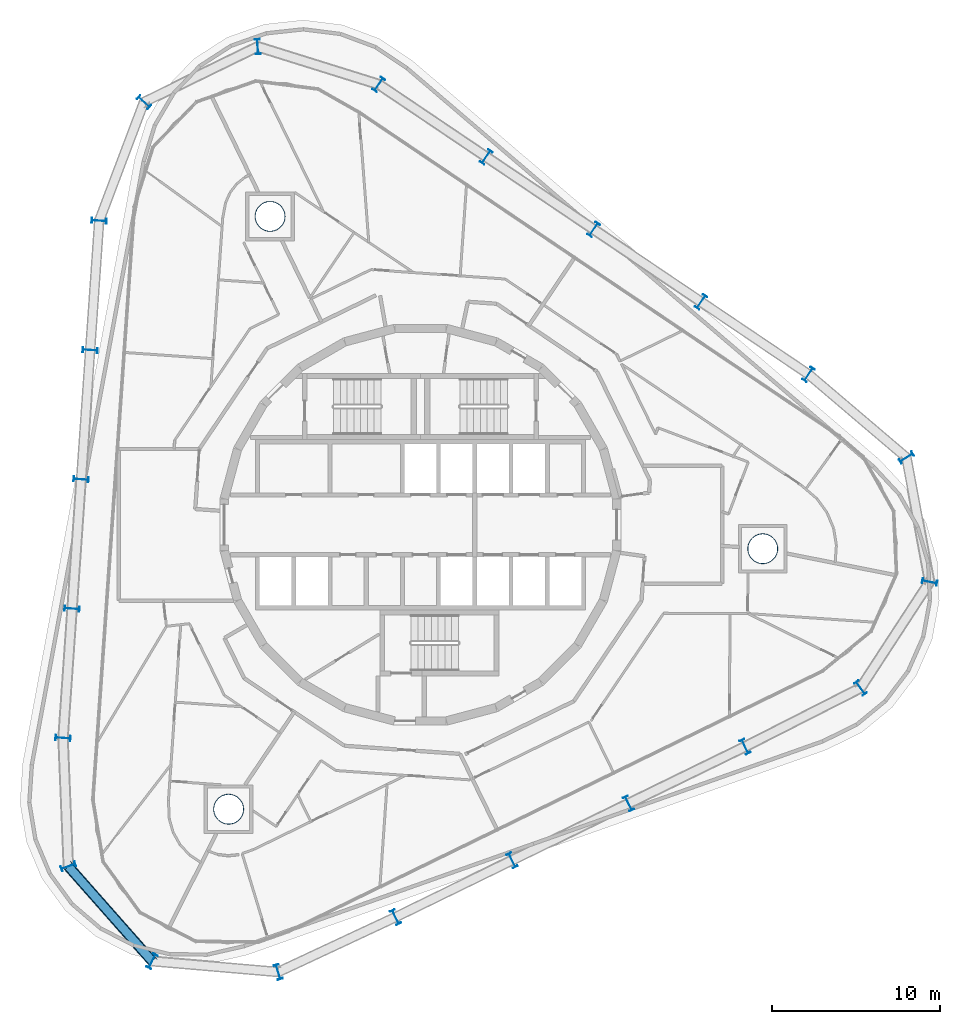
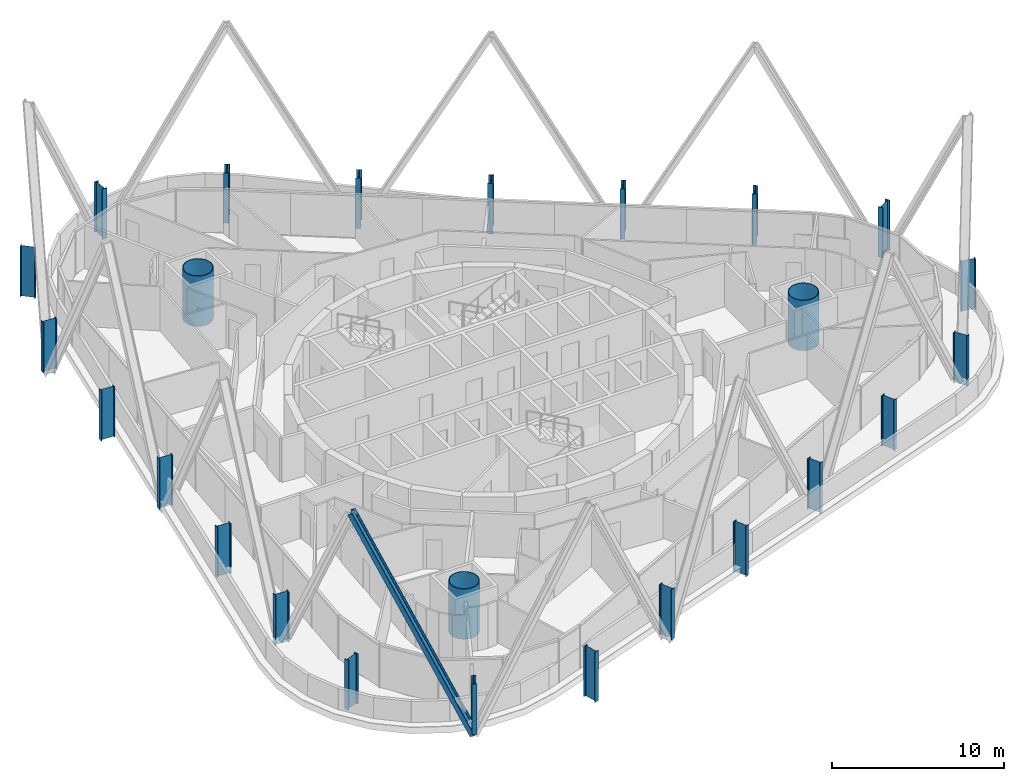
# One storey, part 1 of 18: 25 columns, 1 member.
"""IFC4 building model written with IfcOpenShell, lengths in metres."""

import ifcopenshell
import ifcopenshell.guid

model = None  # the IFC model being written
_history = None  # IfcOwnerHistory: only IFC2X3 demands one
_inside = {}  # id of a spatial element -> (the spatial element, [elements in it])
_under = {}  # id of a project, library or spatial element -> (it, [spatial elements below it])
_declared = {}  # id of a project -> (the project, [libraries it declares])
_typed = {}  # id of a type object -> (the type object, [elements of that type])
_made_of = {}  # id of a material, layer set ... -> (it, [elements and type objects made of it])


def new_model(schema):
    """Start an empty IFC model of exactly this schema.

    Asked for "IFC4X3", IfcOpenShell would pick the latest addendum, in which some entities
    have other attributes; the version numbers below select the first issue.
    IFC2X3 requires an IfcOwnerHistory on every rooted entity: one is made here for all.
    """
    global model, _history
    if schema == "IFC4X3":
        model = ifcopenshell.file(schema_version=(4, 3, 0, 0))
    else:
        model = ifcopenshell.file(schema=schema)
    _inside.clear()
    _under.clear()
    _declared.clear()
    _typed.clear()
    _made_of.clear()
    _history = None
    if model.schema == "IFC2X3":
        org = make("IfcOrganization", Name="unknown")
        user = make(
            "IfcPersonAndOrganization",
            ThePerson=make("IfcPerson", FamilyName="unknown"),
            TheOrganization=org,
        )
        app = make(
            "IfcApplication",
            ApplicationDeveloper=org,
            Version="unknown",
            ApplicationFullName="unknown",
            ApplicationIdentifier="unknown",
        )
        _history = make(
            "IfcOwnerHistory",
            OwningUser=user,
            OwningApplication=app,
            ChangeAction="ADDED",
            CreationDate=0,
        )
    return model


def make(cls, **values):
    """One entity of the class cls with the attributes given. An attribute that is None is left unset."""
    return model.create_entity(
        cls, **{name: value for name, value in values.items() if value is not None}
    )


def rooted(cls, **values):
    """An entity with a GlobalId (a new one), such as an element, a storey or a relation."""
    return make(cls, GlobalId=ifcopenshell.guid.new(), OwnerHistory=_history, **values)


def si_unit(unit_type, name, prefix=None):
    """IfcSIUnit, for example si_unit("LENGTHUNIT", "METRE", prefix="MILLI")."""
    return make("IfcSIUnit", UnitType=unit_type, Prefix=prefix, Name=name)


def assignment(units):
    """IfcUnitAssignment: the units of a project."""
    return None if units is None else make("IfcUnitAssignment", Units=units)


def point(xyz):
    """IfcCartesianPoint."""
    return None if xyz is None else make("IfcCartesianPoint", Coordinates=xyz)


def direction(xyz):
    """IfcDirection."""
    return None if xyz is None else make("IfcDirection", DirectionRatios=xyz)


def frame(location, z_axis=None, x_axis=None):
    """IfcAxis2Placement3D, a coordinate frame: its origin and axes. An axis left out is left unset."""
    return make(
        "IfcAxis2Placement3D",
        Location=point(location),
        Axis=direction(z_axis),
        RefDirection=direction(x_axis),
    )


def frame_2d(location, x_axis=None):
    """IfcAxis2Placement2D, a coordinate frame in the plane: its origin and x axis."""
    return make(
        "IfcAxis2Placement2D", Location=point(location), RefDirection=direction(x_axis)
    )


def origin():
    """The frame at (0, 0, 0) with its axes left unset."""
    return frame((0.0, 0.0, 0.0))


def origin_2d():
    """The frame at (0, 0) in the plane with its x axis left unset."""
    return frame_2d((0.0, 0.0))


def place(relative_to, where):
    """IfcLocalPlacement: puts the frame where relative to a parent placement (None: the world)."""
    return make(
        "IfcLocalPlacement", PlacementRelTo=relative_to, RelativePlacement=where
    )


def context(
    kind, dimensions, precision=None, world=None, true_north=None, identifier=None
):
    """IfcGeometricRepresentationContext, for example the 3D "Model" context."""
    return make(
        "IfcGeometricRepresentationContext",
        ContextIdentifier=identifier,
        ContextType=kind,
        CoordinateSpaceDimension=dimensions,
        Precision=precision,
        WorldCoordinateSystem=world,
        TrueNorth=true_north,
    )


def subcontext(parent, identifier, kind, view, scale=None):
    """IfcGeometricRepresentationSubContext, for example "Body" below "Model"."""
    return make(
        "IfcGeometricRepresentationSubContext",
        ContextIdentifier=identifier,
        ContextType=kind,
        ParentContext=parent,
        TargetScale=scale,
        TargetView=view,
    )


def project(units=None, contexts=None):
    """IfcProject with its units and contexts."""
    return rooted(
        "IfcProject",
        Name="project",
        RepresentationContexts=contexts,
        UnitsInContext=assignment(units),
    )


def spatial(cls, under=None, at=None, **own):
    """A site, building, storey or space (cls), placed at a placement, below another one or the project."""
    s = rooted(cls, ObjectPlacement=at, **own)
    if under is not None:
        _under.setdefault(under.id(), (under, []))[1].append(s)
    return s


def profile(cls, at=None, kind="AREA", **sizes):
    """A parametric profile (cls). Its sizes go by their IFC names, for example OverallWidth=200.0."""
    return make(cls, ProfileType=kind, Position=at, **sizes)


def hollow_circle(**sizes):
    """IfcCircleHollowProfileDef."""
    return profile("IfcCircleHollowProfileDef", **sizes)


def i_section(**sizes):
    """IfcIShapeProfileDef."""
    return profile("IfcIShapeProfileDef", **sizes)


def extrude(swept, where, along, depth):
    """IfcExtrudedAreaSolid: the profile swept, set in the frame where, extruded along a direction by depth."""
    return make(
        "IfcExtrudedAreaSolid",
        SweptArea=swept,
        Position=where,
        ExtrudedDirection=direction(along),
        Depth=depth,
    )


def shape(context_of_items, identifier, shape_type, items):
    """IfcShapeRepresentation: the items that make up one representation, for example the "Body"."""
    return make(
        "IfcShapeRepresentation",
        ContextOfItems=context_of_items,
        RepresentationIdentifier=identifier,
        RepresentationType=shape_type,
        Items=items,
    )


def material(Name=None, Category=None):
    """IfcMaterial."""
    return make("IfcMaterial", Name=Name, Category=Category)


def material_profile(
    of_material, cross_section, Name=None, Category=None, Priority=None
):
    """IfcMaterialProfile: a cross section and its material."""
    return make(
        "IfcMaterialProfile",
        Name=Name,
        Material=of_material,
        Profile=cross_section,
        Priority=Priority,
        Category=Category,
    )


def profile_set(profiles, Name=None, composite=None):
    """IfcMaterialProfileSet."""
    return make(
        "IfcMaterialProfileSet",
        Name=Name,
        MaterialProfiles=profiles,
        CompositeProfile=composite,
    )


def made_of(thing, what):
    """Note that an element or type object is made of a material, layer set ...; save() writes the relation."""
    if what is not None:
        _made_of.setdefault(what.id(), (what, []))[1].append(thing)
    return thing


def type_object(cls, material=None, **own):
    """A type object (cls), such as IfcWallType, which elements share."""
    return made_of(rooted(cls, **own), material)


def element(
    cls,
    number,
    at=None,
    inside=None,
    cuts=None,
    type_object=None,
    material=None,
    context=None,
    identifier="Body",
    shape_type=None,
    held_by="IfcProductDefinitionShape",
    body=None,
    shapes=None,
    **own,
):
    """One element of the class cls, such as IfcWall. Its Tag is "e" and its number.

    at: its placement. inside: the storey or other place that contains it. cuts: it is an
    opening in that element (IfcRelVoidsElement). A single representation is given by context,
    identifier, shape_type and body (its items); several are given by shapes. held_by: the class
    of the entity that holds the representations. save() writes the other relations.
    """
    e = rooted(cls, Tag="e%d" % number, ObjectPlacement=at, **own)
    if body is not None:
        shapes = [shape(context, identifier, shape_type, body)]
    if shapes is not None:
        e.Representation = make(held_by, Representations=shapes)
    if inside is not None:
        _inside.setdefault(inside.id(), (inside, []))[1].append(e)
    if cuts is not None:
        rooted(
            "IfcRelVoidsElement", RelatingBuildingElement=cuts, RelatedOpeningElement=e
        )
    if type_object is not None:
        _typed.setdefault(type_object.id(), (type_object, []))[1].append(e)
    return made_of(e, material)


def aggregate(whole, parts):
    """IfcRelAggregates: a whole, such as a stair, and the parts it consists of."""
    return rooted("IfcRelAggregates", RelatingObject=whole, RelatedObjects=parts)


def save(model, path):
    """Write the relations noted so far, then the file.

    IfcRelAggregates (storeys below a building ...), IfcRelContainedInSpatialStructure (elements
    in a storey), IfcRelDefinesByType, IfcRelAssociatesMaterial and IfcRelDeclares: one each for
    every whole, place, type object, material and project.
    """
    for whole, parts in _under.values():
        aggregate(whole, parts)
    for where, things in _inside.values():
        rooted(
            "IfcRelContainedInSpatialStructure",
            RelatedElements=things,
            RelatingStructure=where,
        )
    for kind, things in _typed.values():
        rooted("IfcRelDefinesByType", RelatedObjects=things, RelatingType=kind)
    for what, things in _made_of.values():
        rooted("IfcRelAssociatesMaterial", RelatedObjects=things, RelatingMaterial=what)
    for by, libraries in _declared.values():
        rooted("IfcRelDeclares", RelatingContext=by, RelatedDefinitions=libraries)
    model.write(path)


model = new_model("IFC4")

# Units and contexts
model_context = context("Model", 3, precision=1e-05, world=origin(), true_north=direction((0.0, 1.0)))
body_context = subcontext(model_context, "Body", "Model", "MODEL_VIEW")
ifc_project = project(units=[si_unit("LENGTHUNIT", "METRE"), si_unit("AREAUNIT", "SQUARE_METRE"), si_unit("VOLUMEUNIT", "CUBIC_METRE"), si_unit("PLANEANGLEUNIT", "RADIAN"), si_unit("MASSUNIT", "GRAM", prefix="KILO")], contexts=[model_context])

# Site, building, storey
site_placement = place(None, origin())
site = spatial("IfcSite", under=ifc_project, at=site_placement, CompositionType="ELEMENT")
building_placement = place(site_placement, origin())
building = spatial("IfcBuilding", under=site, at=building_placement, Name="Spindle Arch Residences", CompositionType="ELEMENT")
storey_placement = place(building_placement, frame((0.0, 0.0, 188.39990234375)))
storey = spatial("IfcBuildingStorey", under=building, at=storey_placement, Name="L47", CompositionType="ELEMENT", Elevation=188.39990234375)

# Columns
ifc_material_1 = material(Name="Steel S460ML, intumescent coating R 240", Category="steel")
ifc_material_profile_1 = material_profile(ifc_material_1, i_section(OverallWidth=0.300048828125, OverallDepth=0.89990234375, WebThickness=0.0185546875, FlangeThickness=0.034912109375, FilletRadius=0.030029296875, at=origin_2d()), Name="HEB 900")
ifc_profile_set_1 = profile_set([ifc_material_profile_1], Name="Steel S460ML, intumescent coating R 240")
column_type_1 = type_object("IfcColumnType", Name="Exoskeleton post HEB 900", PredefinedType="COLUMN", material=ifc_profile_set_1)
for number, where, z_axis, x_axis, name in (
    (1, (12.347900390625, -16.5419921875, -0.449951171875), (0.0, 0.0, 1.0), (-0.898794095235, -0.438371046456, 0.0), "Exoskeleton post 1"),
    (2, (19.26318359375, -13.169189453125, -0.449951171875), (0.0, 0.0, 1.0), (-0.898794095235, -0.438371046456, 0.0), "Exoskeleton post 2"),
    (3, (26.11669921875, -9.685546875, -0.449951171875), (0.0, 0.0, 1.0), (-0.818345137662, -0.574727096686, 0.0), "Exoskeleton post 3"),
    (4, (30.217041015625, -3.39501953125, -0.449951171875), (0.0, 0.0, 1.0), (-0.195504943379, -0.980702715972, 0.0), "Exoskeleton post 4"),
    (5, (28.84228515625, 3.9873046875, -0.449951171875), (0.0, 0.0, 1.0), (0.535400283339, -0.844598446956, 0.0), "Exoskeleton post 5"),
    (6, (23.03466796875, 8.926025390625, -0.449951171875), (0.0, 0.0, 1.0), (0.829037661466, -0.559192771654, 0.0), "Exoskeleton post 6"),
    (7, (16.65625, 13.228271484375, -0.449951171875), (0.0, 0.0, 1.0), (0.829037661466, -0.559192771654, 0.0), "Exoskeleton post 7"),
    (8, (10.27783203125, 17.530517578125, -0.449951171875), (0.0, 0.0, 1.0), (0.829037661466, -0.559192771654, 0.0), "Exoskeleton post 8"),
    (9, (3.8994140625, 21.832763671875, -0.449951171875), (0.0, 0.0, 1.0), (0.829037661466, -0.559192771654, 0.0), "Exoskeleton post 9"),
    (10, (-2.47900390625, 26.135009765625, -0.449951171875), (0.0, 0.0, 1.0), (0.829037661466, -0.559192771654, 0.0), "Exoskeleton post 10"),
    (11, (-9.66162109375, 28.3740234375, -0.449951171875), (0.0, 0.0, 1.0), (0.997343345089, 0.072844025201, 0.0), "Exoskeleton post 11"),
    (12, (-16.41064453125, 25.082275390625, -0.449951171875), (0.0, 0.0, 1.0), (0.671427897912, 0.741069887329, 0.0), "Exoskeleton post 12"),
    (13, (-19.068603515625, 18.043701171875, -0.449951171875), (0.0, 0.0, 1.0), (0.069756005795, 0.997564082982, 0.0), "Exoskeleton post 13"),
    (14, (-19.605224609375, 10.368896484375, -0.449951171875), (0.0, 0.0, 1.0), (0.069756005795, 0.997564082982, 0.0), "Exoskeleton post 14"),
    (15, (-20.141845703125, 2.69384765625, -0.449951171875), (0.0, 0.0, 1.0), (0.069756005795, 0.997564082982, 0.0), "Exoskeleton post 15"),
    (16, (-20.6787109375, -4.981201171875, -0.449951171875), (0.0, 0.0, 1.0), (0.069756005795, 0.997564082982, 0.0), "Exoskeleton post 16"),
    (17, (-21.21533203125, -12.656005859375, -0.449951171875), (0.0, 0.0, 1.0), (0.069756005795, 0.997564082982, 0.0), "Exoskeleton post 17"),
    (18, (-20.899169921875, -20.273193359375, -0.449951171875), (0.0, 0.0, 1.0), (-0.335927007751, 0.941888021722, 0.0), "Exoskeleton post 18"),
    (19, (-15.92822265625, -25.901611328125, -0.449951171875), (0.0, 0.0, 1.0), (-0.893169071277, 0.449721035881, 0.0), "Exoskeleton post 19"),
    (20, (-8.446533203125, -26.543212890625, -0.449951171875), (0.0, 0.0, 1.0), (-0.956714575216, -0.291027870778, 0.0), "Exoskeleton post 20"),
    (21, (-1.482177734375, -23.287353515625, -0.449951171875), (0.0, 0.0, 1.0), (-0.898794095235, -0.438371046456, 0.0), "Exoskeleton post 21"),
    (22, (5.43310546875, -19.91455078125, -0.449951171875), (0.0, 0.0, 1.0), (-0.898794095235, -0.438371046456, 0.0), "Exoskeleton post 22"),
):
    element("IfcColumn", number, at=place(storey_placement, frame(where, z_axis=z_axis, x_axis=x_axis)), inside=storey, type_object=column_type_1, Name=name, PredefinedType="COLUMN", context=body_context, shape_type="SweptSolid", body=[
        extrude(i_section(OverallWidth=0.300048828125, OverallDepth=0.89990234375, WebThickness=0.0185546875, FlangeThickness=0.034912109375, FilletRadius=0.030029296875, at=origin_2d()), origin(), (0.0, 0.0, 1.0), 3.570068359375),
    ])
ifc_material_2 = material(Name="Concrete C50/60 filled steel tube S460ML, intumescent coating R 240", Category="concrete")
ifc_material_profile_2 = material_profile(ifc_material_2, hollow_circle(Radius=0.89990234375, WallThickness=0.0400390625, at=origin_2d()), Name="CFT D1800x40")
ifc_profile_set_2 = profile_set([ifc_material_profile_2], Name="Concrete C50/60 filled steel tube S460ML, intumescent coating R 240")
column_type_2 = type_object("IfcColumnType", Name="Mega-column CFT D1800x40", PredefinedType="COLUMN", material=ifc_profile_set_2)
for number, where, z_axis, x_axis, name in (
    (23, (20.31201171875, -1.42041015625, -0.449951171875), (0.0, 0.0, 1.0), (1.0, 0.0, 0.0), "Mega-column 1"),
    (24, (-8.92578125, 18.30078125, -0.449951171875), (0.0, 0.0, 1.0), (1.0, 0.0, 0.0), "Mega-column 2"),
    (25, (-11.385986328125, -16.880615234375, -0.449951171875), (0.0, 0.0, 1.0), (1.0, 0.0, 0.0), "Mega-column 3"),
):
    element("IfcColumn", number, at=place(storey_placement, frame(where, z_axis=z_axis, x_axis=x_axis)), inside=storey, type_object=column_type_2, Name=name, PredefinedType="COLUMN", context=body_context, shape_type="SweptSolid", body=[
        extrude(hollow_circle(Radius=0.89990234375, WallThickness=0.0400390625, at=origin_2d()), origin(), (0.0, 0.0, 1.0), 3.570068359375),
    ])

# Member
ifc_material_3 = material(Name="Steel S460ML, intumescent coating R 240", Category="steel")
ifc_material_profile_3 = material_profile(ifc_material_3, i_section(OverallWidth=0.304931640625, OverallDepth=0.6201171875, WebThickness=0.02099609375, FlangeThickness=0.0400390625, FilletRadius=0.027099609375, at=origin_2d()), Name="HEM 600")
ifc_profile_set_3 = profile_set([ifc_material_profile_3], Name="Steel S460ML, intumescent coating R 240")
member_type = type_object("IfcMemberType", Name="Diagrid diagonal HEM 600", PredefinedType="BRACE", material=ifc_profile_set_3)
member_placement = place(storey_placement, frame((-15.92822265625, -25.901611328125, -0.699951171875), z_axis=(-0.311686481887, 0.352910964757, 0.882216179835), x_axis=(0.584003454758, -0.661245304553, 0.47084457312)))
element("IfcMember", 26, at=member_placement, inside=storey, type_object=member_type, Name="Diagrid diagonal 5.1.18", PredefinedType="BRACE", context=body_context, shape_type="SweptSolid", body=[
    extrude(i_section(OverallWidth=0.304931640625, OverallDepth=0.6201171875, WebThickness=0.02099609375, FlangeThickness=0.0400390625, FilletRadius=0.027099609375, at=origin_2d()), origin(), (0.0, 0.0, 1.0), 15.948486328125),
])

save(model, "model.ifc")
